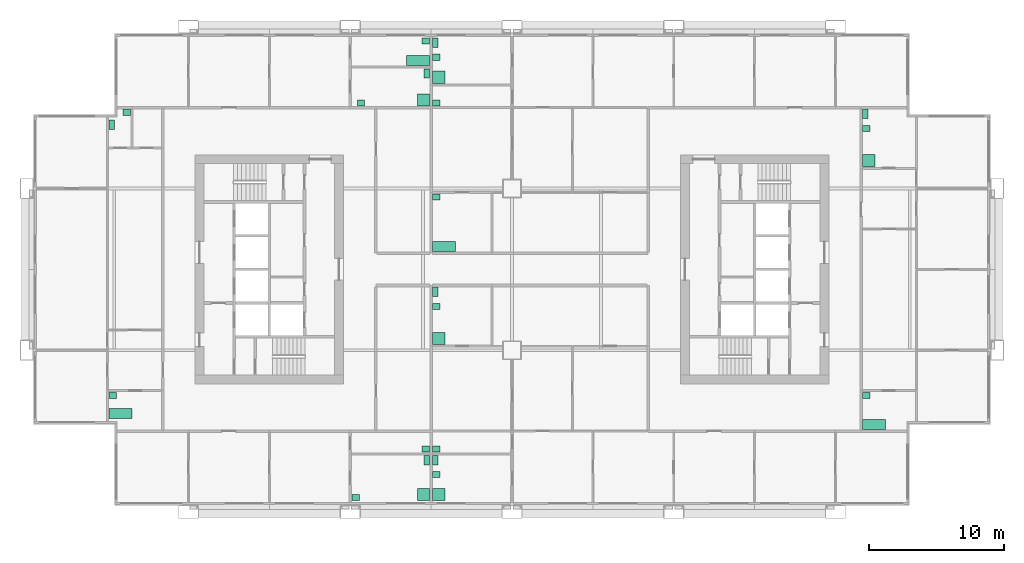
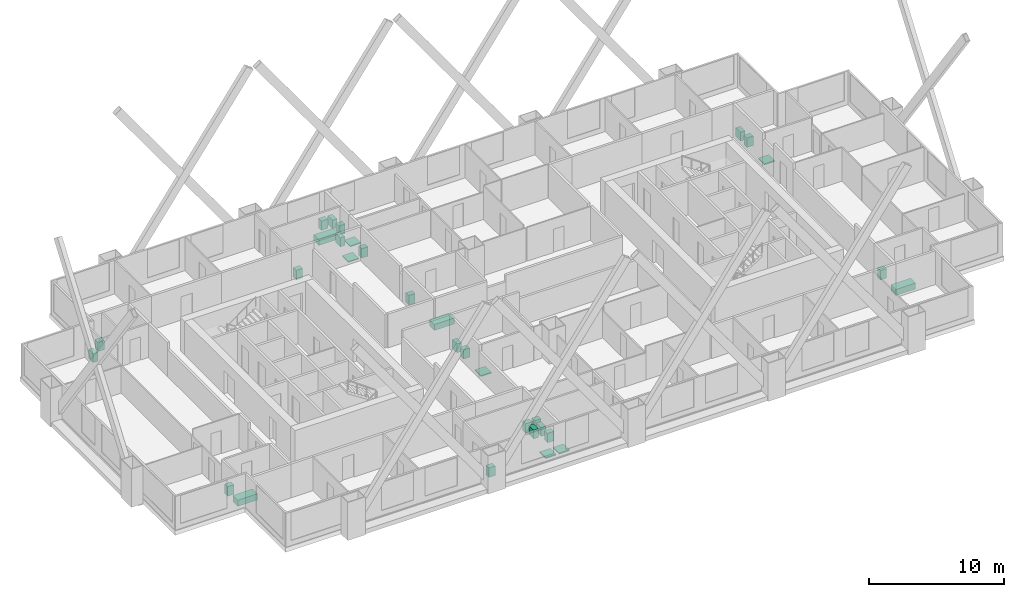
# One storey, part 11 of 11: 31 sanitary terminals.
"""IFC4 building model written with IfcOpenShell, lengths in metres."""

from ifc_helpers import new_model, si_unit, direction, frame, origin, origin_2d, place, context, subcontext, project, spatial, rectangle, extrude, material, type_object, element, save


model = new_model("IFC4")

# Units and contexts
model_context = context("Model", 3, precision=1e-05, world=origin(), true_north=direction((0.0, 1.0)))
body_context = subcontext(model_context, "Body", "Model", "MODEL_VIEW")
ifc_project = project(units=[si_unit("LENGTHUNIT", "METRE"), si_unit("AREAUNIT", "SQUARE_METRE"), si_unit("VOLUMEUNIT", "CUBIC_METRE"), si_unit("PLANEANGLEUNIT", "RADIAN"), si_unit("MASSUNIT", "GRAM", prefix="KILO")], contexts=[model_context])

# Site, building, storey
site_placement = place(None, origin())
site = spatial("IfcSite", under=ifc_project, at=site_placement, CompositionType="ELEMENT")
building_placement = place(site_placement, origin())
building = spatial("IfcBuilding", under=site, at=building_placement, Name="Kitamizu Gate Tower and Museum", CompositionType="ELEMENT")
storey_placement = place(building_placement, frame((0.0, 0.0, 113.85009765625)))
storey = spatial("IfcBuildingStorey", under=building, at=storey_placement, Name="L29", CompositionType="ELEMENT", Elevation=113.85009765625)

# Sanitary terminals
ifc_material_1 = material(Name="Acrylic")
sanitary_terminal_type_1 = type_object("IfcSanitaryTerminalType", Name="Bath", PredefinedType="BATH", material=ifc_material_1)
for number, where, z_axis, x_axis, name in (
    (1, (6.969970703125, 19.294921875, 0.0009765625), (0.0, 0.0, 1.0), (1.0, 0.0, 0.0), "Bath Bathroom 29C"),
    (2, (62.8701171875, 18.4951171875, 0.0009765625), (0.0, 0.0, 1.0), (1.0, 0.0, 0.0), "Bath Bathroom and WC 29E"),
    (3, (29.030029296875, 45.4951171875, 0.0009765625), (0.0, 0.0, 1.0), (1.0, 0.0, 0.0), "Bath Bathroom 29F"),
    (4, (30.969970703125, 31.695068359375, 0.0009765625), (0.0, 0.0, 1.0), (1.0, 0.0, 0.0), "Bath Bathroom 29H"),
):
    element("IfcSanitaryTerminal", number, at=place(storey_placement, frame(where, z_axis=z_axis, x_axis=x_axis)), inside=storey, type_object=sanitary_terminal_type_1, Name=name, PredefinedType="BATH", context=body_context, shape_type="SweptSolid", body=[
        extrude(rectangle(XDim=1.699951171875, YDim=0.75, at=origin_2d()), origin(), (0.0, 0.0, 1.0), 0.550048828125),
    ])
ifc_material_2 = material(Name="Acrylic")
sanitary_terminal_type_2 = type_object("IfcSanitaryTerminalType", Name="Shower tray", PredefinedType="SHOWER", material=ifc_material_2)
for number, where, z_axis, x_axis, name in (
    (5, (29.429931640625, 13.2900390625, 0.000732421875), (0.0, 0.0, 1.0), (1.0, 0.0, 0.0), "Shower tray En-suite bathroom and WC 29A"),
    (6, (30.570068359375, 13.2900390625, 0.000732421875), (0.0, 0.0, 1.0), (1.0, 0.0, 0.0), "Shower tray En-suite bathroom and WC 29D"),
    (7, (30.570068359375, 24.8701171875, 0.000732421875), (0.0, 0.0, 1.0), (1.0, 0.0, 0.0), "Shower tray En-suite bathroom 29D"),
    (8, (62.469970703125, 38.070068359375, 0.000732421875), (0.0, 0.0, 1.0), (1.0, 0.0, 0.0), "Shower tray En-suite bathroom 29E"),
    (9, (29.429931640625, 42.570068359375, 0.000732421875), (0.0, 0.0, 1.0), (1.0, 0.0, 0.0), "Shower tray En-suite bathroom and WC 29F"),
    (10, (30.570068359375, 44.25, 0.000732421875), (0.0, 0.0, 1.0), (1.0, 0.0, 0.0), "Shower tray En-suite bathroom and WC 29H"),
):
    element("IfcSanitaryTerminal", number, at=place(storey_placement, frame(where, z_axis=z_axis, x_axis=x_axis)), inside=storey, type_object=sanitary_terminal_type_2, Name=name, PredefinedType="SHOWER", context=body_context, shape_type="SweptSolid", body=[
        extrude(rectangle(XDim=0.89990234375, YDim=0.89990234375, at=origin_2d()), origin(), (0.0, 0.0, 1.0), 0.10009765625),
    ])
ifc_material_3 = material(Name="Vitreous china")
sanitary_terminal_type_3 = type_object("IfcSanitaryTerminalType", Name="Wash hand basin", PredefinedType="WASHHANDBASIN", material=ifc_material_3)
for number, where, z_axis, x_axis, name in (
    (11, (24.39501953125, 13.06494140625, 0.000732421875), (0.0, 0.0, 1.0), (1.0, 0.0, 0.0), "Wash hand basin En-suite bathroom and WC 29A"),
    (12, (29.60498046875, 16.6650390625, 0.000732421875), (0.0, 0.0, 1.0), (1.0, 0.0, 0.0), "Wash hand basin Wash room 29A"),
    (13, (6.39501953125, 20.655029296875, 0.000732421875), (0.0, 0.0, 1.0), (1.0, 0.0, 0.0), "Wash hand basin Bathroom 29C"),
    (14, (7.405029296875, 41.655029296875, 0.000732421875), (0.0, 0.0, 1.0), (1.0, 0.0, 0.0), "Wash hand basin WC 29C"),
    (15, (30.39501953125, 14.77490234375, 0.000732421875), (0.0, 0.0, 1.0), (1.0, 0.0, 0.0), "Wash hand basin En-suite bathroom and WC 29D"),
    (16, (30.39501953125, 16.6650390625, 0.000732421875), (0.0, 0.0, 1.0), (1.0, 0.0, 0.0), "Wash hand basin Wash room 29D"),
    (17, (30.39501953125, 27.2548828125, 0.000732421875), (0.0, 0.0, 1.0), (1.0, 0.0, 0.0), "Wash hand basin En-suite bathroom 29D"),
    (18, (62.294921875, 20.655029296875, 0.000732421875), (0.0, 0.0, 1.0), (1.0, 0.0, 0.0), "Wash hand basin Bathroom and WC 29E"),
    (19, (62.294921875, 40.455078125, 0.000732421875), (0.0, 0.0, 1.0), (1.0, 0.0, 0.0), "Wash hand basin En-suite bathroom 29E"),
    (20, (24.794921875, 42.344970703125, 0.000732421875), (0.0, 0.0, 1.0), (1.0, 0.0, 0.0), "Wash hand basin En-suite bathroom and WC 29F"),
    (21, (29.60498046875, 46.93505859375, 0.000732421875), (0.0, 0.0, 1.0), (1.0, 0.0, 0.0), "Wash hand basin Bathroom 29F"),
    (22, (30.39501953125, 45.735107421875, 0.000732421875), (0.0, 0.0, 1.0), (1.0, 0.0, 0.0), "Wash hand basin En-suite bathroom and WC 29H"),
    (23, (30.39501953125, 42.344970703125, 0.000732421875), (0.0, 0.0, 1.0), (1.0, 0.0, 0.0), "Wash hand basin Wash room 29H"),
    (24, (30.39501953125, 35.35498046875, 0.000732421875), (0.0, 0.0, 1.0), (1.0, 0.0, 0.0), "Wash hand basin Bathroom 29H"),
):
    element("IfcSanitaryTerminal", number, at=place(storey_placement, frame(where, z_axis=z_axis, x_axis=x_axis)), inside=storey, type_object=sanitary_terminal_type_3, Name=name, PredefinedType="WASHHANDBASIN", context=body_context, shape_type="SweptSolid", body=[
        extrude(rectangle(XDim=0.550048828125, YDim=0.449951171875, at=origin_2d()), origin(), (0.0, 0.0, 1.0), 0.85009765625),
    ])
ifc_material_4 = material(Name="Vitreous china")
sanitary_terminal_type_4 = type_object("IfcSanitaryTerminalType", Name="Water closet", PredefinedType="TOILETPAN", material=ifc_material_4)
for number, where, z_axis, x_axis, name in (
    (25, (29.679931640625, 15.85009765625, 0.0009765625), (0.0, 0.0, 1.0), (1.0, 0.0, 0.0), "Water closet En-suite bathroom and WC 29A"),
    (26, (6.320068359375, 40.72998046875, 0.0009765625), (0.0, 0.0, 1.0), (1.0, 0.0, 0.0), "Water closet WC 29C"),
    (27, (30.320068359375, 15.85009765625, 0.0009765625), (0.0, 0.0, 1.0), (1.0, 0.0, 0.0), "Water closet En-suite bathroom and WC 29D"),
    (28, (30.320068359375, 28.330078125, 0.0009765625), (0.0, 0.0, 1.0), (1.0, 0.0, 0.0), "Water closet En-suite bathroom 29D"),
    (29, (62.219970703125, 41.530029296875, 0.0009765625), (0.0, 0.0, 1.0), (1.0, 0.0, 0.0), "Water closet En-suite bathroom 29E"),
    (30, (29.679931640625, 44.530029296875, 0.0009765625), (0.0, 0.0, 1.0), (1.0, 0.0, 0.0), "Water closet En-suite bathroom and WC 29F"),
    (31, (30.320068359375, 46.81005859375, 0.0009765625), (0.0, 0.0, 1.0), (1.0, 0.0, 0.0), "Water closet En-suite bathroom and WC 29H"),
):
    element("IfcSanitaryTerminal", number, at=place(storey_placement, frame(where, z_axis=z_axis, x_axis=x_axis)), inside=storey, type_object=sanitary_terminal_type_4, Name=name, PredefinedType="TOILETPAN", context=body_context, shape_type="SweptSolid", body=[
        extrude(rectangle(XDim=0.39990234375, YDim=0.699951171875, at=origin_2d()), origin(), (0.0, 0.0, 1.0), 0.800048828125),
    ])

save(model, "model.ifc")
